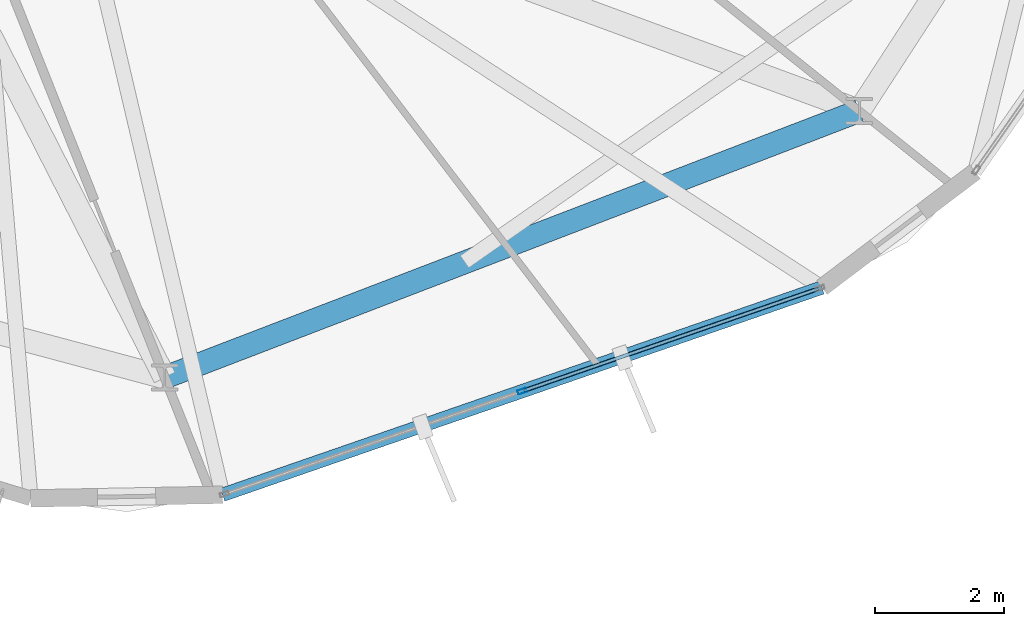
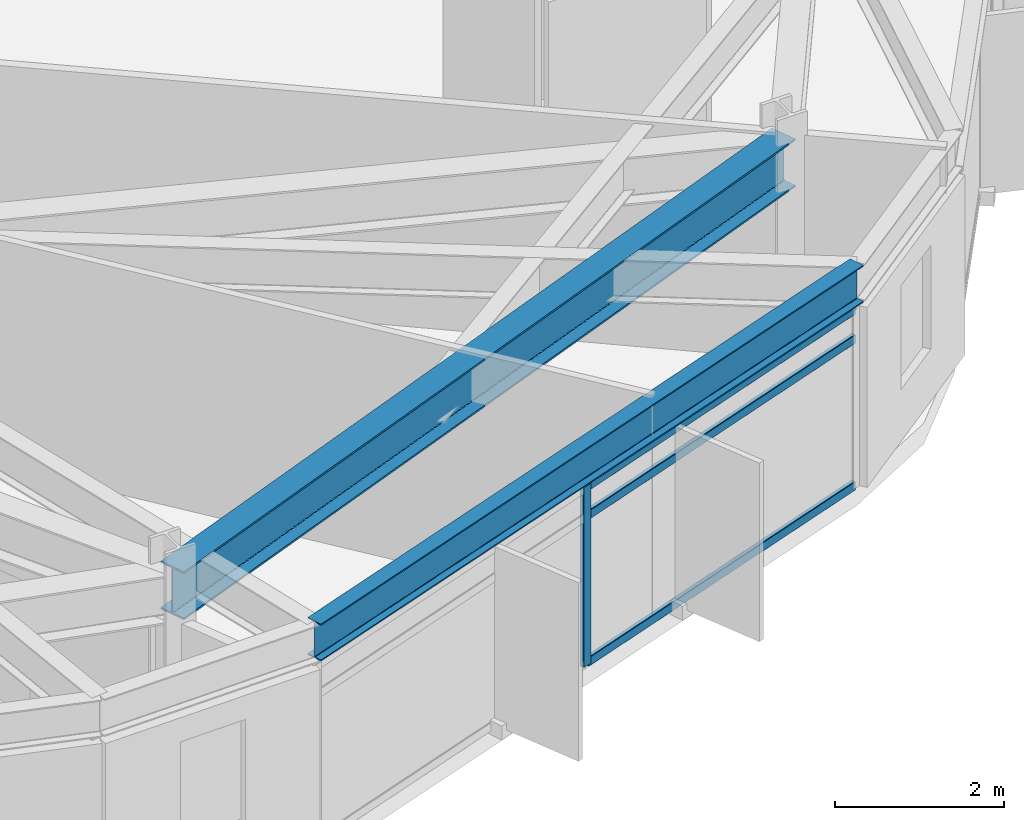
# One storey, part 7 of 34: 4 members, 2 beams, 1 element without a shape of its own.
"""IFC4 building model written with IfcOpenShell, lengths in metres."""

from ifc_helpers import new_model, si_unit, direction, frame, origin, origin_2d, place, context, subcontext, project, spatial, hollow_rectangle, i_section, extrude, material, layer, layer_set, material_profile, profile_set, type_object, element, aggregate, save


model = new_model("IFC4")

# Units and contexts
model_context = context("Model", 3, precision=1e-05, world=origin(), true_north=direction((0.0, 1.0)))
body_context = subcontext(model_context, "Body", "Model", "MODEL_VIEW")
ifc_project = project(units=[si_unit("LENGTHUNIT", "METRE"), si_unit("AREAUNIT", "SQUARE_METRE"), si_unit("VOLUMEUNIT", "CUBIC_METRE"), si_unit("PLANEANGLEUNIT", "RADIAN"), si_unit("MASSUNIT", "GRAM", prefix="KILO")], contexts=[model_context])

# Site, building, storey
site_placement = place(None, origin())
site = spatial("IfcSite", under=ifc_project, at=site_placement, CompositionType="ELEMENT")
building_placement = place(site_placement, origin())
building = spatial("IfcBuilding", under=site, at=building_placement, Name="Soratama Intermodal Tower", CompositionType="ELEMENT")
storey_placement = place(building_placement, frame((0.0, 0.0, 233.800048828125)))
storey = spatial("IfcBuildingStorey", under=building, at=storey_placement, Name="L59", CompositionType="ELEMENT", Elevation=233.800048828125)

# Beams
ifc_material_1 = material(Name="Structural steel ASTM A992 Grade 50", Category="steel")
ifc_material_profile_1 = material_profile(ifc_material_1, i_section(OverallWidth=0.35498046875, OverallDepth=0.695068359375, WebThickness=0.015380859375, FlangeThickness=0.02490234375, FilletRadius=0.01611328125, at=origin_2d()), Name="W27X146")
ifc_profile_set_1 = profile_set([ifc_material_profile_1], Name="Structural steel ASTM A992 Grade 50")
beam_type_1 = type_object("IfcBeamType", Name="BM-RING-W27X146", PredefinedType="BEAM", material=ifc_profile_set_1)
beam_1_placement = place(storey_placement, frame((45.972900390625, 6.426025390625, 2.87255859375), z_axis=(0.933603724339, 0.358307250695, 0.0), x_axis=(-0.358307250695, 0.933603724339, 0.0)))
element("IfcBeam", 1, at=beam_1_placement, inside=storey, type_object=beam_type_1, Name="BM-L59-RING-08", PredefinedType="BEAM", context=body_context, shape_type="SweptSolid", body=[
    extrude(i_section(OverallWidth=0.35498046875, OverallDepth=0.695068359375, WebThickness=0.015380859375, FlangeThickness=0.02490234375, FilletRadius=0.01611328125, at=origin_2d()), origin(), (0.0, 0.0, 1.0), 11.495361328125),
])
ifc_material_2 = material(Name="Structural steel ASTM A992 Grade 50", Category="steel")
ifc_material_profile_2 = material_profile(ifc_material_2, i_section(OverallWidth=0.2099609375, OverallDepth=0.537109375, WebThickness=0.010986328125, FlangeThickness=0.017333984375, FilletRadius=0.012939453125, at=origin_2d()), Name="W21X68")
ifc_profile_set_2 = profile_set([ifc_material_profile_2], Name="Structural steel ASTM A992 Grade 50")
beam_type_2 = type_object("IfcBeamType", Name="BM-SPN-W21X68", PredefinedType="SPANDREL", material=ifc_profile_set_2)
beam_2_placement = place(storey_placement, frame((46.867919921875, 4.614013671875, 2.951416015625), z_axis=(0.945085281388, 0.326823822423, 0.0), x_axis=(-0.326823822423, 0.945085281388, 0.0)))
element("IfcBeam", 2, at=beam_2_placement, inside=storey, type_object=beam_type_2, Name="BS-L59-F07", PredefinedType="SPANDREL", context=body_context, shape_type="SweptSolid", body=[
    extrude(i_section(OverallWidth=0.2099609375, OverallDepth=0.537109375, WebThickness=0.010986328125, FlangeThickness=0.017333984375, FilletRadius=0.012939453125, at=origin_2d()), origin(), (0.0, 0.0, 1.0), 9.797119140625),
])

# Curtain wall, members
ifc_material_3 = material(Name="Double-glazed aluminium curtain wall", Category="aluminium")
ifc_layer = layer(ifc_material_3, 0.159912109375)
ifc_layer_set = layer_set([ifc_layer], Name="Double-glazed aluminium curtain wall")
curtain_wall_type = type_object("IfcCurtainWallType", Name="CW-SYS-5", PredefinedType="NOTDEFINED", material=ifc_layer_set)
curtain_wall_placement = place(storey_placement, origin())
curtain_wall = element("IfcCurtainWall", 3, at=curtain_wall_placement, inside=storey, type_object=curtain_wall_type, Name="L59 Faceted Curtain Wall F07", PredefinedType="NOTDEFINED")
ifc_material_4 = material(Name="Anodised aluminium AA 6063-T6", Category="aluminium")
ifc_material_profile_3 = material_profile(ifc_material_4, hollow_rectangle(XDim=0.06494140625, YDim=0.139892578125, WallThickness=0.0048828125, InnerFilletRadius=0.0048828125, OuterFilletRadius=0.010009765625, at=origin_2d()), Name="CWM140X65X5")
ifc_profile_set_3 = profile_set([ifc_material_profile_3], Name="Anodised aluminium AA 6063-T6")
member_type_1 = type_object("IfcMemberType", Name="MT-CWM-5", PredefinedType="MULLION", material=ifc_profile_set_3)
member_1_placement = place(storey_placement, frame((51.49755859375, 6.21484375, 0.0), z_axis=(0.0, 0.0, 1.0), x_axis=(-0.326893913141, 0.945061040119, 0.0)))
member_1 = element("IfcMember", 4, at=member_1_placement, type_object=member_type_1, Name="CW-5 mullion 2", PredefinedType="MULLION", context=body_context, shape_type="SweptSolid", body=[
    extrude(hollow_rectangle(XDim=0.06494140625, YDim=0.139892578125, WallThickness=0.0048828125, InnerFilletRadius=0.0048828125, OuterFilletRadius=0.010009765625, at=origin_2d()), origin(), (0.0, 0.0, 1.0), 2.598876953125),
])
ifc_material_5 = material(Name="Anodised aluminium AA 6063-T6", Category="aluminium")
ifc_material_profile_4 = material_profile(ifc_material_5, hollow_rectangle(XDim=0.06005859375, YDim=0.1298828125, WallThickness=0.0048828125, InnerFilletRadius=0.0048828125, OuterFilletRadius=0.010009765625, at=origin_2d()), Name="CWT130X60X5")
ifc_profile_set_4 = profile_set([ifc_material_profile_4], Name="Anodised aluminium AA 6063-T6")
member_type_2 = type_object("IfcMemberType", Name="TT-CWT-2", PredefinedType="USERDEFINED", material=ifc_profile_set_4)
member_2_placement = place(storey_placement, frame((51.52587890625, 6.224609375, 0.030029296875), z_axis=(0.945059084363, 0.326899567242, 0.0), x_axis=(-0.326899567242, 0.945059084363, 0.0)))
member_2 = element("IfcMember", 5, at=member_2_placement, type_object=member_type_2, Name="CW-5 transom 2.1", ObjectType="TRANSOM", PredefinedType="USERDEFINED", context=body_context, shape_type="SweptSolid", body=[
    extrude(hollow_rectangle(XDim=0.06005859375, YDim=0.1298828125, WallThickness=0.0048828125, InnerFilletRadius=0.0048828125, OuterFilletRadius=0.010009765625, at=origin_2d()), origin(), (0.0, 0.0, 1.0), 4.808837890625),
])
member_3_placement = place(storey_placement, frame((51.52587890625, 6.224609375, 2.14990234375), z_axis=(0.945059084363, 0.326899567242, 0.0), x_axis=(-0.326899567242, 0.945059084363, 0.0)))
member_3 = element("IfcMember", 6, at=member_3_placement, type_object=member_type_2, Name="CW-5 transom 2.2", ObjectType="TRANSOM", PredefinedType="USERDEFINED", context=body_context, shape_type="SweptSolid", body=[
    extrude(hollow_rectangle(XDim=0.06005859375, YDim=0.1298828125, WallThickness=0.0048828125, InnerFilletRadius=0.0048828125, OuterFilletRadius=0.010009765625, at=origin_2d()), origin(), (0.0, 0.0, 1.0), 4.808837890625),
])
member_4_placement = place(storey_placement, frame((51.52587890625, 6.224609375, 2.56884765625), z_axis=(0.945059084363, 0.326899567242, 0.0), x_axis=(-0.326899567242, 0.945059084363, 0.0)))
member_4 = element("IfcMember", 7, at=member_4_placement, type_object=member_type_2, Name="CW-5 transom 2.3", ObjectType="TRANSOM", PredefinedType="USERDEFINED", context=body_context, shape_type="SweptSolid", body=[
    extrude(hollow_rectangle(XDim=0.06005859375, YDim=0.1298828125, WallThickness=0.0048828125, InnerFilletRadius=0.0048828125, OuterFilletRadius=0.010009765625, at=origin_2d()), origin(), (0.0, 0.0, 1.0), 4.808837890625),
])
aggregate(curtain_wall, [member_1, member_2, member_3, member_4])

save(model, "model.ifc")
